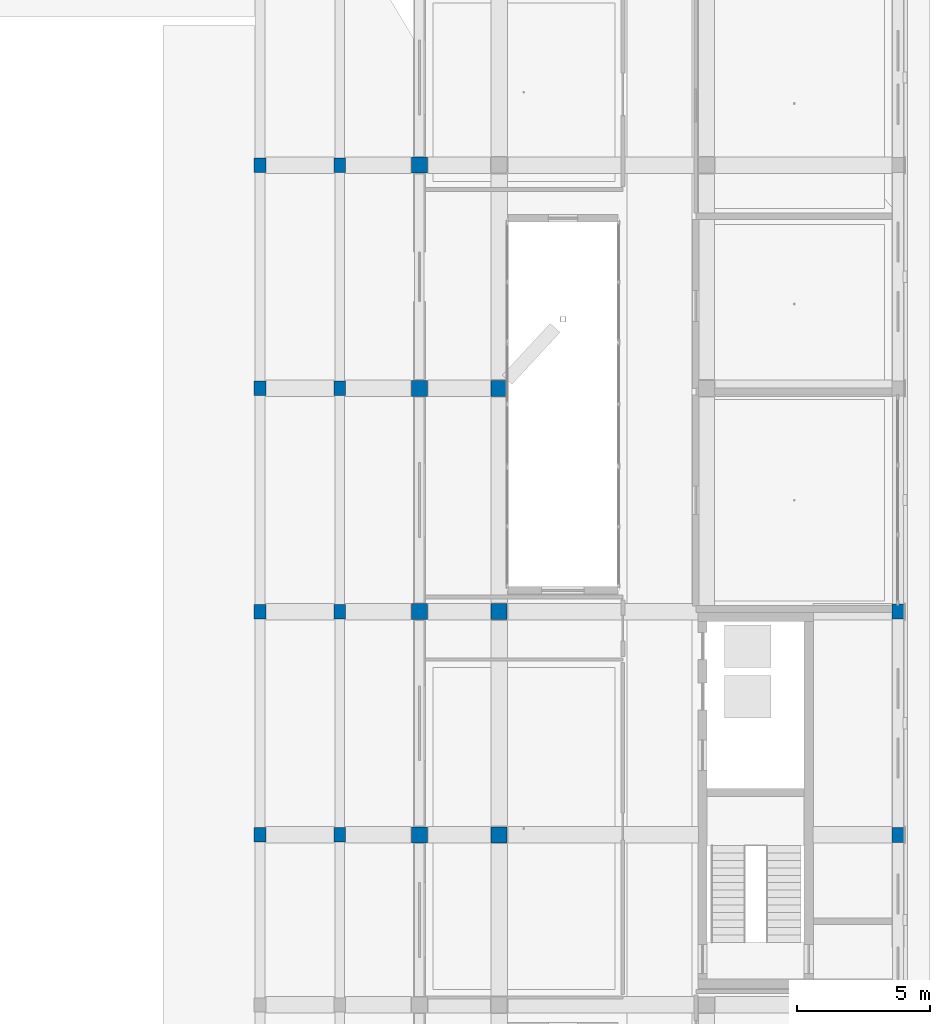
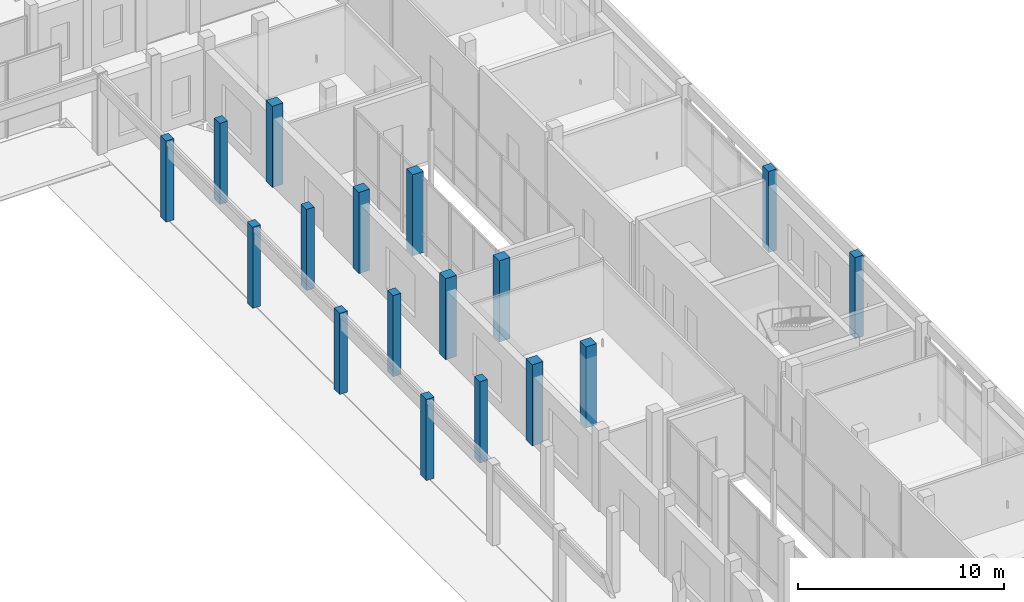
# One storey, part 15 of 88: 17 columns.
"""IFC4 building model written with IfcOpenShell, lengths in metres."""

from ifc_helpers import new_model, si_unit, derived_unit, direction, frame, origin, origin_2d, place, context, subcontext, project, spatial, rectangle, extrude, material, material_profile, profile_set, type_object, element, save


model = new_model("IFC4")

# Units and contexts
model_context = context("Model", 3, precision=1e-05, world=origin(), true_north=direction((0.0, 1.0)))
body_context = subcontext(model_context, "Body", "Model", "MODEL_VIEW")
ifc_project = project(units=[si_unit("LENGTHUNIT", "METRE"), si_unit("AREAUNIT", "SQUARE_METRE"), si_unit("VOLUMEUNIT", "CUBIC_METRE"), si_unit("PLANEANGLEUNIT", "RADIAN"), si_unit("MASSUNIT", "GRAM", prefix="KILO"), derived_unit("THERMALTRANSMITTANCEUNIT", [(si_unit("POWERUNIT", "WATT"), 1), (si_unit("LENGTHUNIT", "METRE"), -2), (si_unit("THERMODYNAMICTEMPERATUREUNIT", "KELVIN"), -1)])], contexts=[model_context])

# Site, building, storey
site_placement = place(None, origin())
site = spatial("IfcSite", under=ifc_project, at=site_placement, CompositionType="ELEMENT")
building_placement = place(site_placement, origin())
building = spatial("IfcBuilding", under=site, at=building_placement, Name="Braskholm Square Health Centre", CompositionType="ELEMENT")
storey_placement = place(building_placement, origin())
storey = spatial("IfcBuildingStorey", under=building, at=storey_placement, Name="L01", CompositionType="ELEMENT", Elevation=0.0)

# Columns
ifc_material_1 = material(Name="Concrete C40/50 (f'c = 40 MPa)", Category="concrete")
ifc_material_profile_1 = material_profile(ifc_material_1, rectangle(XDim=0.60009765625, YDim=0.60009765625, at=origin_2d()), Name="RC-600X600")
ifc_profile_set_1 = profile_set([ifc_material_profile_1], Name="Concrete C40/50 (f'c = 40 MPa)")
column_type_1 = type_object("IfcColumnType", Name="ColInteriorLow600", PredefinedType="COLUMN", material=ifc_profile_set_1)
for number, where, z_axis, x_axis, name in (
    (1, (145.800048828125, 55.39990234375, 0.0), (0.0, 0.0, 1.0), (1.0, 0.0, 0.0), "Column 19/J L01"),
    (2, (145.800048828125, 63.800048828125, 0.0), (0.0, 0.0, 1.0), (1.0, 0.0, 0.0), "Column 19/K L01"),
    (3, (145.800048828125, 72.199951171875, 0.0), (0.0, 0.0, 1.0), (1.0, 0.0, 0.0), "Column 19/L L01"),
    (4, (145.800048828125, 80.60009765625, 0.0), (0.0, 0.0, 1.0), (1.0, 0.0, 0.0), "Column 19/M L01"),
    (5, (148.800048828125, 55.39990234375, 0.0), (0.0, 0.0, 1.0), (1.0, 0.0, 0.0), "Column 20/J L01"),
    (6, (148.800048828125, 63.800048828125, 0.0), (0.0, 0.0, 1.0), (1.0, 0.0, 0.0), "Column 20/K L01"),
    (7, (148.800048828125, 72.199951171875, 0.0), (0.0, 0.0, 1.0), (1.0, 0.0, 0.0), "Column 20/L L01"),
):
    element("IfcColumn", number, at=place(storey_placement, frame(where, z_axis=z_axis, x_axis=x_axis)), inside=storey, type_object=column_type_1, Name=name, PredefinedType="COLUMN", context=body_context, shape_type="SweptSolid", body=[
        extrude(rectangle(XDim=0.60009765625, YDim=0.60009765625, at=origin_2d()), origin(), (0.0, 0.0, 1.0), 4.800048828125),
    ])
ifc_material_2 = material(Name="Precast concrete C40/50 architectural white", Category="concrete")
ifc_material_profile_2 = material_profile(ifc_material_2, rectangle(XDim=0.43994140625, YDim=0.5400390625, at=origin_2d()), Name="RC-440X540")
ifc_profile_set_2 = profile_set([ifc_material_profile_2], Name="Precast concrete C40/50 architectural white")
column_type_2 = type_object("IfcColumnType", Name="ColPilasterKasota440x540", PredefinedType="PILASTER", material=ifc_profile_set_2)
for number, where, z_axis, x_axis, name in (
    (8, (139.800048828125, 55.39990234375, 0.0), (0.0, 0.0, 1.0), (1.0, 0.0, 0.0), "Column 17/J L01"),
    (9, (139.800048828125, 63.800048828125, 0.0), (0.0, 0.0, 1.0), (1.0, 0.0, 0.0), "Column 17/K L01"),
    (10, (139.800048828125, 72.199951171875, 0.0), (0.0, 0.0, 1.0), (1.0, 0.0, 0.0), "Column 17/L L01"),
    (11, (139.800048828125, 80.60009765625, 0.0), (0.0, 0.0, 1.0), (1.0, 0.0, 0.0), "Column 17/M L01"),
    (12, (142.800048828125, 55.39990234375, 0.0), (0.0, 0.0, 1.0), (1.0, 0.0, 0.0), "Column 18/J L01"),
    (13, (142.800048828125, 63.800048828125, 0.0), (0.0, 0.0, 1.0), (1.0, 0.0, 0.0), "Column 18/K L01"),
    (14, (142.800048828125, 72.199951171875, 0.0), (0.0, 0.0, 1.0), (1.0, 0.0, 0.0), "Column 18/L L01"),
    (15, (142.800048828125, 80.60009765625, 0.0), (0.0, 0.0, 1.0), (1.0, 0.0, 0.0), "Column 18/M L01"),
):
    element("IfcColumn", number, at=place(storey_placement, frame(where, z_axis=z_axis, x_axis=x_axis)), inside=storey, type_object=column_type_2, Name=name, PredefinedType="PILASTER", context=body_context, shape_type="SweptSolid", body=[
        extrude(rectangle(XDim=0.43994140625, YDim=0.5400390625, at=origin_2d()), origin(), (0.0, 0.0, 1.0), 4.800048828125),
    ])
ifc_material_profile_3 = material_profile(ifc_material_2, rectangle(XDim=0.4599609375, YDim=0.56005859375, at=origin_2d()), Name="RC-460X560")
ifc_profile_set_3 = profile_set([ifc_material_profile_3], Name="Precast concrete C40/50 architectural white")
column_type_3 = type_object("IfcColumnType", Name="ColPrecastFrame460x560", PredefinedType="COLUMN", material=ifc_profile_set_3)
for number, where, z_axis, x_axis, name in (
    (16, (163.800048828125, 55.39990234375, 0.0), (0.0, 0.0, 1.0), (1.0, 0.0, 0.0), "Column 22/J L01"),
    (17, (163.800048828125, 63.800048828125, 0.0), (0.0, 0.0, 1.0), (1.0, 0.0, 0.0), "Column 22/K L01"),
):
    element("IfcColumn", number, at=place(storey_placement, frame(where, z_axis=z_axis, x_axis=x_axis)), inside=storey, type_object=column_type_3, Name=name, PredefinedType="COLUMN", context=body_context, shape_type="SweptSolid", body=[
        extrude(rectangle(XDim=0.4599609375, YDim=0.56005859375, at=origin_2d()), origin(), (0.0, 0.0, 1.0), 4.800048828125),
    ])

save(model, "model.ifc")
